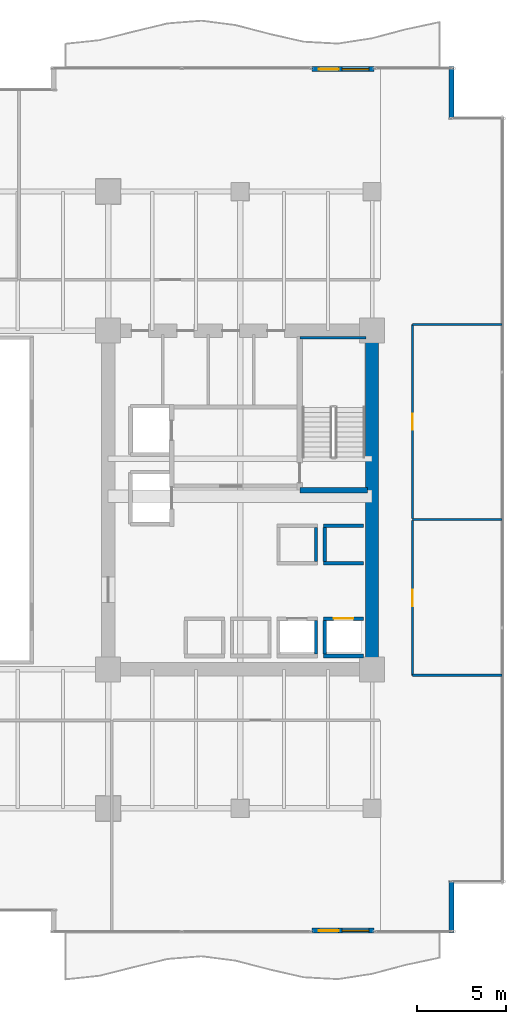
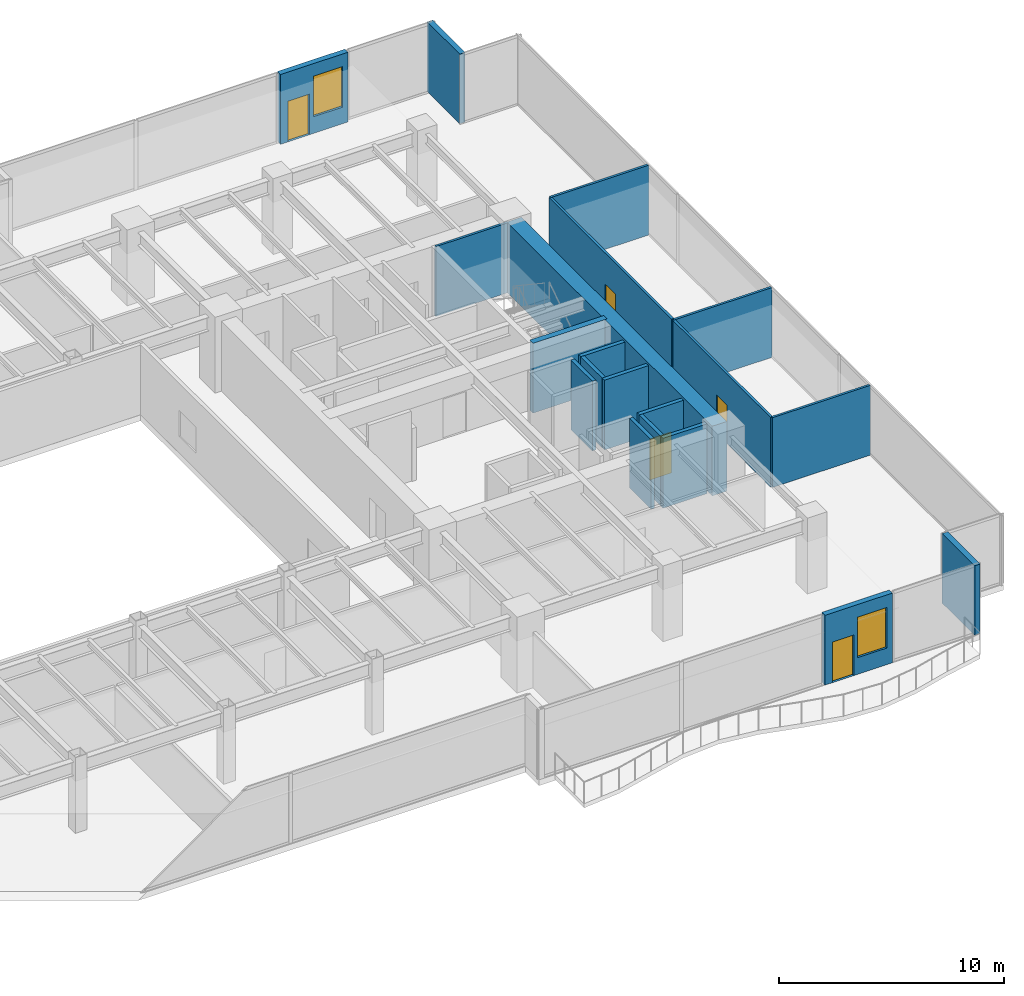
# One storey, part 27 of 32: 20 walls, 5 doors, 2 windows, 7 openings.
"""IFC4 building model written with IfcOpenShell, lengths in metres."""

from ifc_helpers import new_model, si_unit, direction, frame, frame_2d, origin, place, context, subcontext, project, spatial, rectangle, extrude, source, transform, mapped, material, layer, layer_set, type_object, type_shapes, element, fill, save


model = new_model("IFC4")

# Units and contexts
model_context = context("Model", 3, precision=1e-05, world=origin(), true_north=direction((0.0, 1.0)))
body_context = subcontext(model_context, "Body", "Model", "MODEL_VIEW")
ifc_project = project(units=[si_unit("LENGTHUNIT", "METRE"), si_unit("AREAUNIT", "SQUARE_METRE"), si_unit("VOLUMEUNIT", "CUBIC_METRE"), si_unit("PLANEANGLEUNIT", "RADIAN"), si_unit("MASSUNIT", "GRAM", prefix="KILO")], contexts=[model_context])

# Site, building, storey
site_placement = place(None, origin())
site = spatial("IfcSite", under=ifc_project, at=site_placement, CompositionType="ELEMENT")
building_placement = place(site_placement, origin())
building = spatial("IfcBuilding", under=site, at=building_placement, Name="Haelvirn Gate Laboratories", CompositionType="ELEMENT")
storey_placement = place(building_placement, frame((0.0, 0.0, 33.39990234375)))
storey = spatial("IfcBuildingStorey", under=building, at=storey_placement, Name="L08", CompositionType="ELEMENT", Elevation=33.39990234375)

# Wall, openings, door, window
ifc_material_1 = material(Name="Thermally-broken bronze aluminium rainscreen & mineral wool", Category="aluminium")
ifc_layer_1 = layer(ifc_material_1, 0.280029296875, Name="EW-TERR-280")
ifc_layer_set_1 = layer_set([ifc_layer_1], Name="Thermally-broken bronze aluminium rainscreen & mineral wool")
wall_type_1 = type_object("IfcWallType", Name="EW-TERR-280", PredefinedType="STANDARD", material=ifc_layer_set_1)
wall_1_placement = place(storey_placement, frame((64.0419921875, 0.139892578125, 0.0), z_axis=(0.0, 0.0, 1.0), x_axis=(1.0, 0.0, 0.0)))
wall_1 = element("IfcWall", 1, at=wall_1_placement, inside=storey, type_object=wall_type_1, Name="L08 Terrace Access Wall WB-EL-S", PredefinedType="STANDARD", context=body_context, shape_type="SweptSolid", body=[
    extrude(rectangle(XDim=3.4609375, YDim=0.280029296875, at=frame_2d((1.73046875, 0.0))), origin(), (0.0, 0.0, 1.0), 3.780029296875),
])
opening_1_placement = place(wall_1_placement, frame((0.3779296875, 0.0, 0.0)))
opening_1 = element("IfcOpeningElement", 2, at=opening_1_placement, cuts=wall_1, Name="Opening TD1", PredefinedType="OPENING", context=body_context, shape_type="SweptSolid", body=[
    extrude(rectangle(XDim=1.10009765625, YDim=2.199951171875, at=frame_2d((0.550048828125, 1.10009765625))), frame((0.0, 0.14990234375, 0.0), z_axis=(0.0, -1.0, 0.0), x_axis=(1.0, 0.0, 0.0)), (0.0, 0.0, 1.0), 0.300048828125),
])
opening_2_placement = place(wall_1_placement, frame((1.677978515625, 0.0, 0.89990234375)))
opening_2 = element("IfcOpeningElement", 3, at=opening_2_placement, cuts=wall_1, Name="Opening W3", PredefinedType="OPENING", context=body_context, shape_type="SweptSolid", body=[
    extrude(rectangle(XDim=1.5, YDim=2.199951171875, at=frame_2d((0.75, 1.10009765625))), frame((0.0, 0.14990234375, 0.0), z_axis=(0.0, -1.0, 0.0), x_axis=(1.0, 0.0, 0.0)), (0.0, 0.0, 1.0), 0.300048828125),
])
ifc_material_2 = material(Name="Thermally-broken bronze aluminium glazed terrace door", Category="aluminium")
door_type_1 = type_object("IfcDoorType", Name="DR-TERR-1100", OperationType="NOTDEFINED", PredefinedType="DOOR", material=ifc_material_2)
shared_shape_1 = source(origin(), body_context, "Body", "SweptSolid", [
    extrude(rectangle(XDim=1.10009765625, YDim=2.199951171875, at=frame_2d((0.550048828125, 1.10009765625))), frame((0.0, 0.02490234375, 0.0), z_axis=(0.0, -1.0, 0.0), x_axis=(1.0, 0.0, 0.0)), (0.0, 0.0, 1.0), 0.050048828125),
])
type_shapes(door_type_1, [shared_shape_1])
door_1_placement = place(opening_1_placement, origin())
door_1 = element("IfcDoor", 4, at=door_1_placement, inside=storey, type_object=door_type_1, Name="L08 Terrace Access Door WB-EL-S", OperationType="SINGLE_SWING_LEFT", OverallHeight=2.199951171875, OverallWidth=1.10009765625, PredefinedType="DOOR", context=body_context, shape_type="MappedRepresentation", body=[
    mapped(shared_shape_1, transform((0.0, 0.0, 0.0), scale=1.0)),
])
fill(opening_1, door_1)
ifc_material_3 = material(Name="Bronze anodised aluminium & triple low-E glass", Category="aluminium")
window_type = type_object("IfcWindowType", Name="WIN-TERR-1600", PartitioningType="SINGLE_PANEL", PredefinedType="WINDOW", material=ifc_material_3)
shared_shape_2 = source(origin(), body_context, "Body", "SweptSolid", [
    extrude(rectangle(XDim=1.5, YDim=2.199951171875, at=frame_2d((0.75, 1.10009765625))), frame((0.0, 0.030029296875, 0.0), z_axis=(0.0, -1.0, 0.0), x_axis=(1.0, 0.0, 0.0)), (0.0, 0.0, 1.0), 0.06005859375),
])
type_shapes(window_type, [shared_shape_2])
window_1_placement = place(opening_2_placement, origin())
window_1 = element("IfcWindow", 5, at=window_1_placement, inside=storey, type_object=window_type, Name="L08 Terrace Vision Window WB-EL-S", OverallHeight=2.199951171875, OverallWidth=1.5, PartitioningType="SINGLE_PANEL", PredefinedType="WINDOW", context=body_context, shape_type="MappedRepresentation", body=[
    mapped(shared_shape_2, transform((0.0, 0.0, 0.0), scale=1.0)),
])
fill(opening_2, window_1)

wall_2_placement = place(storey_placement, frame((64.0419921875, 48.4599609375, 0.0), z_axis=(0.0, 0.0, 1.0), x_axis=(1.0, 0.0, 0.0)))
wall_2 = element("IfcWall", 6, at=wall_2_placement, inside=storey, type_object=wall_type_1, Name="L08 Terrace Access Wall WB-EL-N", PredefinedType="STANDARD", context=body_context, shape_type="SweptSolid", body=[
    extrude(rectangle(XDim=3.4609375, YDim=0.280029296875, at=frame_2d((1.73046875, 0.0))), origin(), (0.0, 0.0, 1.0), 3.780029296875),
])
opening_3_placement = place(wall_2_placement, frame((0.3779296875, 0.0, 0.0)))
opening_3 = element("IfcOpeningElement", 7, at=opening_3_placement, cuts=wall_2, Name="Opening TD1", PredefinedType="OPENING", context=body_context, shape_type="SweptSolid", body=[
    extrude(rectangle(XDim=1.10009765625, YDim=2.199951171875, at=frame_2d((0.550048828125, 1.10009765625))), frame((0.0, 0.14990234375, 0.0), z_axis=(0.0, -1.0, 0.0), x_axis=(1.0, 0.0, 0.0)), (0.0, 0.0, 1.0), 0.300048828125),
])
opening_4_placement = place(wall_2_placement, frame((1.677978515625, 0.0, 0.89990234375)))
opening_4 = element("IfcOpeningElement", 8, at=opening_4_placement, cuts=wall_2, Name="Opening W3", PredefinedType="OPENING", context=body_context, shape_type="SweptSolid", body=[
    extrude(rectangle(XDim=1.5, YDim=2.199951171875, at=frame_2d((0.75, 1.10009765625))), frame((0.0, 0.14990234375, 0.0), z_axis=(0.0, -1.0, 0.0), x_axis=(1.0, 0.0, 0.0)), (0.0, 0.0, 1.0), 0.300048828125),
])
door_2_placement = place(opening_3_placement, origin())
door_2 = element("IfcDoor", 9, at=door_2_placement, inside=storey, type_object=door_type_1, Name="L08 Terrace Access Door WB-EL-N", OperationType="SINGLE_SWING_RIGHT", OverallHeight=2.199951171875, OverallWidth=1.10009765625, PredefinedType="DOOR", context=body_context, shape_type="MappedRepresentation", body=[
    mapped(shared_shape_1, transform((0.0, 0.0, 0.0), scale=1.0)),
])
fill(opening_3, door_2)
window_2_placement = place(opening_4_placement, origin())
window_2 = element("IfcWindow", 10, at=window_2_placement, inside=storey, type_object=window_type, Name="L08 Terrace Vision Window WB-EL-N", OverallHeight=2.199951171875, OverallWidth=1.5, PartitioningType="SINGLE_PANEL", PredefinedType="WINDOW", context=body_context, shape_type="MappedRepresentation", body=[
    mapped(shared_shape_2, transform((0.0, 0.0, 0.0), scale=1.0)),
])
fill(opening_4, window_2)

# Walls
wall_3_placement = place(storey_placement, frame((71.860107421875, 0.0, 0.0), z_axis=(0.0, 0.0, 1.0), x_axis=(0.0, 1.0, 0.0)))
element("IfcWall", 11, at=wall_3_placement, inside=storey, type_object=wall_type_1, Name="L08 Atrium Recess Bronze Return Wall 05", PredefinedType="STANDARD", context=body_context, shape_type="SweptSolid", body=[
    extrude(rectangle(XDim=2.887939453125, YDim=0.280029296875, at=frame_2d((1.44384765625, 0.0))), origin(), (0.0, 0.0, 1.0), 3.780029296875),
])
wall_4_placement = place(storey_placement, frame((71.860107421875, 45.7119140625, 0.0), z_axis=(0.0, 0.0, 1.0), x_axis=(0.0, 1.0, 0.0)))
element("IfcWall", 12, at=wall_4_placement, inside=storey, type_object=wall_type_1, Name="L08 Atrium Recess Bronze Return Wall 09", PredefinedType="STANDARD", context=body_context, shape_type="SweptSolid", body=[
    extrude(rectangle(XDim=2.88818359375, YDim=0.280029296875, at=frame_2d((1.444091796875, 0.0))), origin(), (0.0, 0.0, 1.0), 3.780029296875),
])
ifc_material_4 = material(Name="Lightweight acoustic gypsum board partition", Category="gypsum")
ifc_layer_2 = layer(ifc_material_4, 0.1201171875, Name="IW-PART-120")
ifc_layer_set_2 = layer_set([ifc_layer_2], Name="Lightweight acoustic gypsum board partition")
wall_type_2 = type_object("IfcWallType", Name="IW-PART-120", PredefinedType="PARTITIONING", material=ifc_layer_set_2)
for number, where, z_axis, x_axis, name in (
    (13, (69.669921875, 14.465087890625, 0.0), (0.0, 0.0, 1.0), (1.0, 0.0, 0.0), "L08 Interior Wall IW-L08-ECAP-S"),
    (14, (69.669921875, 34.135009765625, 0.0), (0.0, 0.0, 1.0), (1.0, 0.0, 0.0), "L08 Interior Wall IW-L08-ECAP-N"),
):
    element("IfcWall", number, at=place(storey_placement, frame(where, z_axis=z_axis, x_axis=x_axis)), inside=storey, type_object=wall_type_2, Name=name, PredefinedType="PARTITIONING", context=body_context, shape_type="SweptSolid", body=[
        extrude(rectangle(XDim=5.02001953125, YDim=0.1201171875, at=frame_2d((2.510009765625, 0.0))), origin(), (0.0, 0.0, 1.0), 3.780029296875),
    ])

# Wall, opening, door
wall_5_placement = place(storey_placement, frame((69.669921875, 14.465087890625, 0.0), z_axis=(0.0, 0.0, 1.0), x_axis=(0.0, 1.0, 0.0)))
wall_5 = element("IfcWall", 15, at=wall_5_placement, inside=storey, type_object=wall_type_2, Name="L08 Interior Wall IW-L08-EPASS-01", PredefinedType="PARTITIONING", context=body_context, shape_type="SweptSolid", body=[
    extrude(rectangle(XDim=8.6748046875, YDim=0.1201171875, at=frame_2d((4.33740234375, 0.0))), origin(), (0.0, 0.0, 1.0), 3.780029296875),
])
opening_5_placement = place(wall_5_placement, frame((3.887451171875, 0.0, 0.0)))
opening_5 = element("IfcOpeningElement", 16, at=opening_5_placement, cuts=wall_5, Name="Opening D4", PredefinedType="OPENING", context=body_context, shape_type="SweptSolid", body=[
    extrude(rectangle(XDim=0.89990234375, YDim=2.10009765625, at=frame_2d((0.449951171875, 1.050048828125))), frame((0.0, 0.070068359375, 0.0), z_axis=(0.0, -1.0, 0.0), x_axis=(1.0, 0.0, 0.0)), (0.0, 0.0, 1.0), 0.14013671875),
])
ifc_material_5 = material(Name="Glazed aluminium-framed write-up door", Category="aluminium")
door_type_2 = type_object("IfcDoorType", Name="DR-OFF-900", OperationType="NOTDEFINED", PredefinedType="DOOR", material=ifc_material_5)
shared_shape_3 = source(origin(), body_context, "Body", "SweptSolid", [
    extrude(rectangle(XDim=0.89990234375, YDim=2.10009765625, at=frame_2d((0.449951171875, 1.050048828125))), frame((0.0, 0.02490234375, 0.0), z_axis=(0.0, -1.0, 0.0), x_axis=(1.0, 0.0, 0.0)), (0.0, 0.0, 1.0), 0.050048828125),
])
type_shapes(door_type_2, [shared_shape_3])
door_3_placement = place(opening_5_placement, origin())
door_3 = element("IfcDoor", 17, at=door_3_placement, inside=storey, type_object=door_type_2, Name="L08 Bioprocess Foundry Laboratory Door E1", OperationType="SINGLE_SWING_LEFT", OverallHeight=2.10009765625, OverallWidth=0.89990234375, PredefinedType="DOOR", context=body_context, shape_type="MappedRepresentation", body=[
    mapped(shared_shape_3, transform((0.0, 0.0, 0.0), scale=1.0)),
])
fill(opening_5, door_3)

# Wall
wall_6_placement = place(storey_placement, frame((69.669921875, 23.199951171875, 0.0), z_axis=(0.0, 0.0, 1.0), x_axis=(1.0, 0.0, 0.0)))
element("IfcWall", 18, at=wall_6_placement, inside=storey, type_object=wall_type_2, Name="L08 Interior Wall IW-L08-EDIV-01", PredefinedType="PARTITIONING", context=body_context, shape_type="SweptSolid", body=[
    extrude(rectangle(XDim=5.02001953125, YDim=0.1201171875, at=frame_2d((2.510009765625, 0.0))), origin(), (0.0, 0.0, 1.0), 3.780029296875),
])

# Wall, opening, door
wall_7_placement = place(storey_placement, frame((69.669921875, 23.260009765625, 0.0), z_axis=(0.0, 0.0, 1.0), x_axis=(0.0, 1.0, 0.0)))
wall_7 = element("IfcWall", 19, at=wall_7_placement, inside=storey, type_object=wall_type_2, Name="L08 Interior Wall IW-L08-EPASS-02", PredefinedType="PARTITIONING", context=body_context, shape_type="SweptSolid", body=[
    extrude(rectangle(XDim=10.875, YDim=0.1201171875, at=frame_2d((5.4375, 0.0))), origin(), (0.0, 0.0, 1.0), 3.780029296875),
])
opening_6_placement = place(wall_7_placement, frame((4.987548828125, 0.0, 0.0)))
opening_6 = element("IfcOpeningElement", 20, at=opening_6_placement, cuts=wall_7, Name="Opening D4", PredefinedType="OPENING", context=body_context, shape_type="SweptSolid", body=[
    extrude(rectangle(XDim=0.89990234375, YDim=2.10009765625, at=frame_2d((0.449951171875, 1.050048828125))), frame((0.0, 0.070068359375, 0.0), z_axis=(0.0, -1.0, 0.0), x_axis=(1.0, 0.0, 0.0)), (0.0, 0.0, 1.0), 0.14013671875),
])
door_4_placement = place(opening_6_placement, origin())
door_4 = element("IfcDoor", 21, at=door_4_placement, inside=storey, type_object=door_type_2, Name="L08 Genomics Assay Laboratory Door E2", OperationType="SINGLE_SWING_RIGHT", OverallHeight=2.10009765625, OverallWidth=0.89990234375, PredefinedType="DOOR", context=body_context, shape_type="MappedRepresentation", body=[
    mapped(shared_shape_3, transform((0.0, 0.0, 0.0), scale=1.0)),
])
fill(opening_6, door_4)

# Walls
ifc_material_6 = material(Name="Concrete C40/50", Category="concrete")
ifc_layer_3 = layer(ifc_material_6, 0.179931640625, Name="IW-SHAFT-180")
ifc_layer_set_3 = layer_set([ifc_layer_3], Name="Concrete C40/50")
wall_type_3 = type_object("IfcWallType", Name="IW-SHAFT-180", PredefinedType="SOLIDWALL", material=ifc_layer_set_3)
for number, where, z_axis, x_axis, name in (
    (22, (64.75, 15.64990234375, 0.0), (0.0, 0.0, 1.0), (0.0, 1.0, 0.0), "L08 Interior Wall IW-L08-PL3-SD"),
    (23, (64.25, 15.64990234375, 0.0), (0.0, 0.0, 1.0), (0.0, 1.0, 0.0), "L08 Interior Wall IW-L08-PL4-SDE"),
):
    element("IfcWall", number, at=place(storey_placement, frame(where, z_axis=z_axis, x_axis=x_axis)), inside=storey, type_object=wall_type_3, Name=name, PredefinedType="SOLIDWALL", context=body_context, shape_type="SweptSolid", body=[
        extrude(rectangle(XDim=1.900146484375, YDim=0.179931640625, at=frame_2d((0.9501953125, 0.0))), origin(), (0.0, 0.0, 1.0), 3.780029296875),
    ])
for number, where, z_axis, x_axis, name in (
    (24, (64.75, 20.85009765625, 0.0), (0.0, 0.0, 1.0), (0.0, 1.0, 0.0), "L08 Interior Wall IW-L08-PL11-SD"),
    (25, (64.25, 20.85009765625, 0.0), (0.0, 0.0, 1.0), (0.0, 1.0, 0.0), "L08 Interior Wall IW-L08-PL12-SDE"),
):
    element("IfcWall", number, at=place(storey_placement, frame(where, z_axis=z_axis, x_axis=x_axis)), inside=storey, type_object=wall_type_3, Name=name, PredefinedType="SOLIDWALL", context=body_context, shape_type="SweptSolid", body=[
        extrude(rectangle(XDim=1.89990234375, YDim=0.179931640625, at=frame_2d((0.949951171875, 0.0))), origin(), (0.0, 0.0, 1.0), 3.780029296875),
    ])

# Wall, opening, door
ifc_layer_4 = layer(ifc_material_6, 0.199951171875, Name="IW-SHAFT-200")
ifc_layer_set_4 = layer_set([ifc_layer_4], Name="Concrete C40/50")
wall_type_4 = type_object("IfcWallType", Name="IW-SHAFT-200", PredefinedType="SOLIDWALL", material=ifc_layer_set_4)
wall_8_placement = place(storey_placement, frame((64.669921875, 17.64990234375, 0.0), z_axis=(0.0, 0.0, 1.0), x_axis=(1.0, 0.0, 0.0)))
wall_8 = element("IfcWall", 26, at=wall_8_placement, inside=storey, type_object=wall_type_4, Name="L08 Interior Wall IW-L08-PL3-FR", PredefinedType="SOLIDWALL", context=body_context, shape_type="SweptSolid", body=[
    extrude(rectangle(XDim=2.260009765625, YDim=0.199951171875, at=frame_2d((1.1298828125, 0.0))), origin(), (0.0, 0.0, 1.0), 3.780029296875),
])
opening_7_placement = place(wall_8_placement, frame((0.580078125, 0.0, 0.0)))
opening_7 = element("IfcOpeningElement", 27, at=opening_7_placement, cuts=wall_8, Name="Opening LD2", PredefinedType="OPENING", context=body_context, shape_type="SweptSolid", body=[
    extrude(rectangle(XDim=1.10009765625, YDim=2.219970703125, at=frame_2d((0.550048828125, 1.10986328125))), frame((0.0, 0.10986328125, 0.0), z_axis=(0.0, -1.0, 0.0), x_axis=(1.0, 0.0, 0.0)), (0.0, 0.0, 1.0), 0.219970703125),
])
ifc_material_7 = material(Name="Bronze stainless 316L sliding lift landing door")
door_type_3 = type_object("IfcDoorType", Name="DR-LD-1100", OperationType="NOTDEFINED", PredefinedType="USERDEFINED", material=ifc_material_7)
shared_shape_4 = source(origin(), body_context, "Body", "SweptSolid", [
    extrude(rectangle(XDim=1.10009765625, YDim=2.219970703125, at=frame_2d((0.550048828125, 1.10986328125))), frame((0.0, 0.02490234375, 0.0), z_axis=(0.0, -1.0, 0.0), x_axis=(1.0, 0.0, 0.0)), (0.0, 0.0, 1.0), 0.050048828125),
])
type_shapes(door_type_3, [shared_shape_4])
door_5_placement = place(opening_7_placement, origin())
door_5 = element("IfcDoor", 28, at=door_5_placement, inside=storey, type_object=door_type_3, Name="L08 Passenger Lift PL3 Landing Door", ObjectType="LANDING_DOOR", OperationType="SLIDING_TO_LEFT", OverallHeight=2.219970703125, OverallWidth=1.10009765625, PredefinedType="USERDEFINED", context=body_context, shape_type="MappedRepresentation", body=[
    mapped(shared_shape_4, transform((0.0, 0.0, 0.0), scale=1.0)),
])
fill(opening_7, door_5)

# Walls
for number, where, z_axis, x_axis, name in (
    (29, (64.669921875, 15.550048828125, 0.0), (0.0, 0.0, 1.0), (1.0, 0.0, 0.0), "L08 Interior Wall IW-L08-PL3-BK"),
    (30, (64.669921875, 20.75, 0.0), (0.0, 0.0, 1.0), (1.0, 0.0, 0.0), "L08 Interior Wall IW-L08-PL11-FR"),
    (31, (64.669921875, 22.85009765625, 0.0), (0.0, 0.0, 1.0), (1.0, 0.0, 0.0), "L08 Interior Wall IW-L08-PL11-BK"),
):
    element("IfcWall", number, at=place(storey_placement, frame(where, z_axis=z_axis, x_axis=x_axis)), inside=storey, type_object=wall_type_4, Name=name, PredefinedType="SOLIDWALL", context=body_context, shape_type="SweptSolid", body=[
        extrude(rectangle(XDim=2.260009765625, YDim=0.199951171875, at=frame_2d((1.1298828125, 0.0))), origin(), (0.0, 0.0, 1.0), 3.780029296875),
    ])
ifc_material_8 = material(Name="Concrete C70/85", Category="concrete")
ifc_layer_5 = layer(ifc_material_8, 0.75, Name="SW-CORE-750")
ifc_layer_set_5 = layer_set([ifc_layer_5], Name="Concrete C70/85")
wall_type_5 = type_object("IfcWallType", Name="SW-CORE-750", PredefinedType="SHEAR", material=ifc_layer_set_5)
wall_9_placement = place(storey_placement, frame((67.39990234375, 15.175048828125, 0.0), z_axis=(0.0, 0.0, 1.0), x_axis=(0.0, 1.0, 0.0)))
element("IfcWall", 32, at=wall_9_placement, inside=storey, type_object=wall_type_5, Name="L08 E Core Shear Wall E", PredefinedType="SHEAR", context=body_context, shape_type="SweptSolid", body=[
    extrude(rectangle(XDim=18.25, YDim=0.75, at=frame_2d((9.125, 0.0))), origin(), (0.0, 0.0, 1.0), 3.780029296875),
])
ifc_material_9 = material(Name="Concrete C50/60", Category="concrete")
ifc_layer_6 = layer(ifc_material_9, 0.1201171875, Name="SW-LINER-120")
ifc_layer_set_6 = layer_set([ifc_layer_6], Name="Concrete C50/60")
wall_type_6 = type_object("IfcWallType", Name="SW-LINER-120", PredefinedType="SOLIDWALL", material=ifc_layer_set_6)
wall_10_placement = place(storey_placement, frame((63.35009765625, 33.39990234375, 0.0), z_axis=(0.0, 0.0, 1.0), x_axis=(1.0, 0.0, 0.0)))
element("IfcWall", 33, at=wall_10_placement, inside=storey, type_object=wall_type_6, Name="L08 E Core Stair Shaft Liner Wall N", PredefinedType="SOLIDWALL", context=body_context, shape_type="SweptSolid", body=[
    extrude(rectangle(XDim=3.719970703125, YDim=0.1201171875, at=frame_2d((1.85986328125, 0.0))), origin(), (0.0, 0.0, 1.0), 3.780029296875),
])
ifc_layer_7 = layer(ifc_material_9, 0.300048828125, Name="SW-STAIR-300")
ifc_layer_set_7 = layer_set([ifc_layer_7], Name="Concrete C50/60")
wall_type_7 = type_object("IfcWallType", Name="SW-STAIR-300", PredefinedType="SHEAR", material=ifc_layer_set_7)
wall_11_placement = place(storey_placement, frame((63.35009765625, 24.85009765625, 0.0), z_axis=(0.0, 0.0, 1.0), x_axis=(1.0, 0.0, 0.0)))
element("IfcWall", 34, at=wall_11_placement, inside=storey, type_object=wall_type_7, Name="L08 E Core Stair Shaft Structural Wall S", PredefinedType="SHEAR", context=body_context, shape_type="SweptSolid", body=[
    extrude(rectangle(XDim=3.7998046875, YDim=0.300048828125, at=frame_2d((1.89990234375, 0.0))), origin(), (0.0, 0.0, 1.0), 3.780029296875),
])

save(model, "model.ifc")
